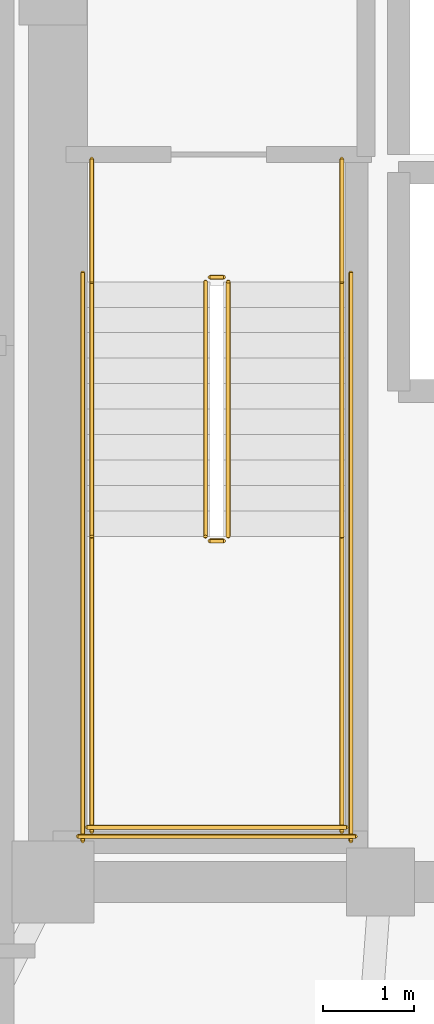
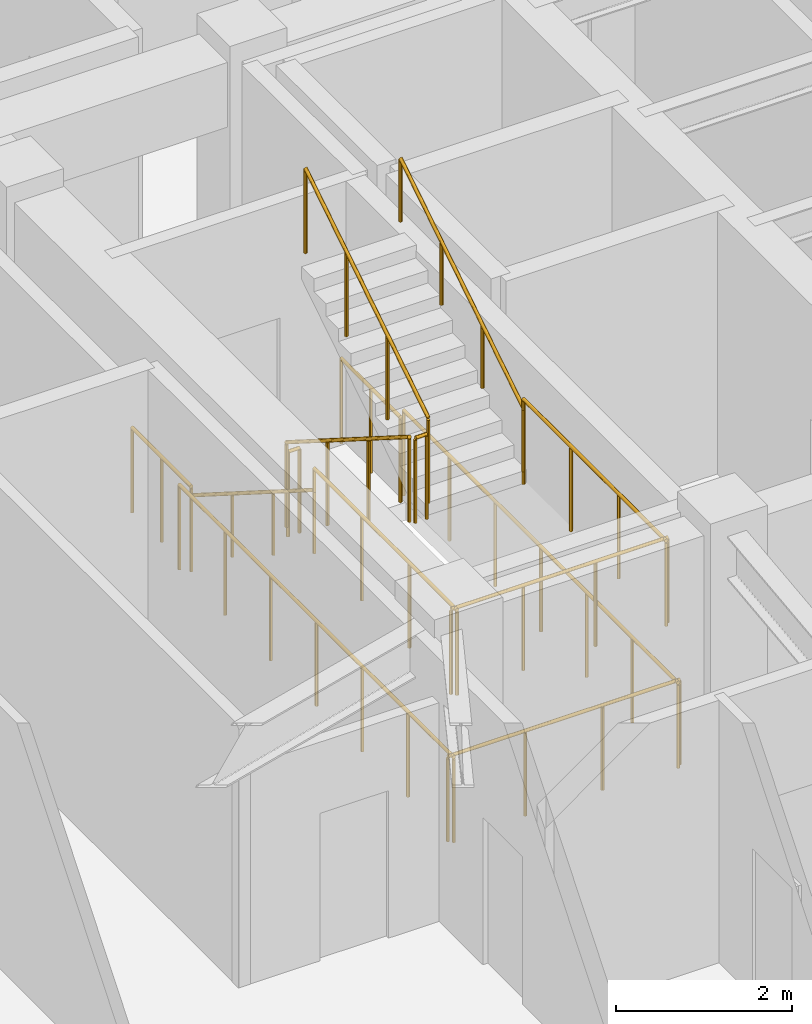
# One storey, part 10 of 11: 14 railings.
"""IFC4 building model written with IfcOpenShell, lengths in metres."""

from ifc_helpers import new_model, si_unit, direction, frame, origin, origin_2d, place, context, subcontext, project, spatial, circle, extrude, material, type_object, element, save


model = new_model("IFC4")

# Units and contexts
model_context = context("Model", 3, precision=1e-05, world=origin(), true_north=direction((0.0, 1.0)))
body_context = subcontext(model_context, "Body", "Model", "MODEL_VIEW")
ifc_project = project(units=[si_unit("LENGTHUNIT", "METRE"), si_unit("AREAUNIT", "SQUARE_METRE"), si_unit("VOLUMEUNIT", "CUBIC_METRE"), si_unit("PLANEANGLEUNIT", "RADIAN"), si_unit("MASSUNIT", "GRAM", prefix="KILO")], contexts=[model_context])

# Site, building, storey
site_placement = place(None, origin())
site = spatial("IfcSite", under=ifc_project, at=site_placement, CompositionType="ELEMENT")
building_placement = place(site_placement, origin())
building = spatial("IfcBuilding", under=site, at=building_placement, Name="Voryun Gate Residences", CompositionType="ELEMENT")
storey_placement = place(building_placement, frame((0.0, 0.0, 156.0)))
storey = spatial("IfcBuildingStorey", under=building, at=storey_placement, Name="L38", CompositionType="ELEMENT", Elevation=156.0)

# Railings
ifc_material_1 = material(Name="Painted steel", Category="steel")
railing_type_1 = type_object("IfcRailingType", Name="RAIL_STAIR_GUARD_1200", PredefinedType="GUARDRAIL", material=ifc_material_1)
railing_1_placement = place(storey_placement, frame((-17.52490234375, -0.800048828125, 0.17724609375)))
element("IfcRailing", 1, at=railing_1_placement, inside=storey, type_object=railing_type_1, Name="L38 ST-W1 stair guard 1", PredefinedType="GUARDRAIL", context=body_context, shape_type="SweptSolid", body=[
    extrude(circle(Radius=0.02392578125, at=origin_2d()), frame((0.0, 0.0, 1.17578125), z_axis=(0.0, -0.844908973607, 0.534910110503), x_axis=(1.0, 0.0, 0.0)), (0.0, 0.0, 1.0), 3.31396484375),
    extrude(circle(Radius=0.02099609375, at=origin_2d()), origin(), (0.0, 0.0, 1.0), 1.15185546875),
    extrude(circle(Radius=0.02099609375, at=origin_2d()), frame((0.0, -0.933349609375, 0.5908203125)), (0.0, 0.0, 1.0), 1.15185546875),
    extrude(circle(Radius=0.02099609375, at=origin_2d()), frame((0.0, -1.86669921875, 1.181884765625)), (0.0, 0.0, 1.0), 1.15185546875),
    extrude(circle(Radius=0.02099609375, at=origin_2d()), frame((0.0, -2.800048828125, 1.772705078125)), (0.0, 0.0, 1.0), 1.15185546875),
])
railing_2_placement = place(storey_placement, frame((-17.47509765625, -3.64990234375, 1.949951171875)))
element("IfcRailing", 2, at=railing_2_placement, inside=storey, type_object=railing_type_1, Name="L38 ST-W1 stair guard 2", PredefinedType="GUARDRAIL", context=body_context, shape_type="SweptSolid", body=[
    extrude(circle(Radius=0.02392578125, at=origin_2d()), frame((0.0, 0.0, 1.17578125), z_axis=(1.0, 0.0, 0.0), x_axis=(0.0, 1.0, 0.0)), (0.0, 0.0, 1.0), 0.150146484375),
    extrude(circle(Radius=0.02099609375, at=origin_2d()), origin(), (0.0, 0.0, 1.0), 1.15185546875),
    extrude(circle(Radius=0.02099609375, at=origin_2d()), frame((0.150146484375, 0.0, 0.0)), (0.0, 0.0, 1.0), 1.15185546875),
])
for number, where, name in (
    (3, (-18.77490234375, -3.60009765625, 1.949951171875), "L38 ST-W1 stair guard 3"),
    (4, (-16.02490234375, -3.60009765625, 1.949951171875), "L38 ST-W1 stair guard 4"),
):
    element("IfcRailing", number, at=place(storey_placement, frame(where)), inside=storey, type_object=railing_type_1, Name=name, PredefinedType="GUARDRAIL", context=body_context, shape_type="SweptSolid", body=[
        extrude(circle(Radius=0.02392578125, at=origin_2d()), frame((0.0, 0.0, 1.17578125), z_axis=(0.0, -1.0, 0.0), x_axis=(1.0, 0.0, 0.0)), (0.0, 0.0, 1.0), 3.25),
        extrude(circle(Radius=0.02099609375, at=origin_2d()), origin(), (0.0, 0.0, 1.0), 1.15185546875),
        extrude(circle(Radius=0.02099609375, at=origin_2d()), frame((0.0, -1.083251953125, 0.0)), (0.0, 0.0, 1.0), 1.15185546875),
        extrude(circle(Radius=0.02099609375, at=origin_2d()), frame((0.0, -2.166748046875, 0.0)), (0.0, 0.0, 1.0), 1.15185546875),
        extrude(circle(Radius=0.02099609375, at=origin_2d()), frame((0.0, -3.25, 0.0)), (0.0, 0.0, 1.0), 1.15185546875),
    ])
railing_3_placement = place(storey_placement, frame((-18.824951171875, -6.800048828125, 1.949951171875)))
element("IfcRailing", 5, at=railing_3_placement, inside=storey, type_object=railing_type_1, Name="L38 ST-W1 stair guard 5", PredefinedType="GUARDRAIL", context=body_context, shape_type="SweptSolid", body=[
    extrude(circle(Radius=0.02392578125, at=origin_2d()), frame((0.0, 0.0, 1.17578125), z_axis=(1.0, 0.0, 0.0), x_axis=(0.0, 1.0, 0.0)), (0.0, 0.0, 1.0), 2.849853515625),
    extrude(circle(Radius=0.02099609375, at=origin_2d()), origin(), (0.0, 0.0, 1.0), 1.15185546875),
    extrude(circle(Radius=0.02099609375, at=origin_2d()), frame((0.949951171875, 0.0, 0.0)), (0.0, 0.0, 1.0), 1.15185546875),
    extrude(circle(Radius=0.02099609375, at=origin_2d()), frame((1.89990234375, 0.0, 0.0)), (0.0, 0.0, 1.0), 1.15185546875),
    extrude(circle(Radius=0.02099609375, at=origin_2d()), frame((2.849853515625, 0.0, 0.0)), (0.0, 0.0, 1.0), 1.15185546875),
])
railing_4_placement = place(storey_placement, frame((-17.27490234375, -3.60009765625, 2.127197265625)))
element("IfcRailing", 6, at=railing_4_placement, inside=storey, type_object=railing_type_1, Name="L38 ST-W1 stair guard 6", PredefinedType="GUARDRAIL", context=body_context, shape_type="SweptSolid", body=[
    extrude(circle(Radius=0.02392578125, at=origin_2d()), frame((0.0, 0.0, 1.17578125), z_axis=(0.0, 0.844908973607, 0.534910110503), x_axis=(-1.0, 0.0, 0.0)), (0.0, 0.0, 1.0), 3.31396484375),
    extrude(circle(Radius=0.02099609375, at=origin_2d()), origin(), (0.0, 0.0, 1.0), 1.15185546875),
    extrude(circle(Radius=0.02099609375, at=origin_2d()), frame((0.0, 0.933349609375, 0.5908203125)), (0.0, 0.0, 1.0), 1.15185546875),
    extrude(circle(Radius=0.02099609375, at=origin_2d()), frame((0.0, 1.86669921875, 1.181884765625)), (0.0, 0.0, 1.0), 1.15185546875),
    extrude(circle(Radius=0.02099609375, at=origin_2d()), frame((0.0, 2.800048828125, 1.772705078125)), (0.0, 0.0, 1.0), 1.15185546875),
])
railing_5_placement = place(storey_placement, frame((-17.47509765625, -0.75, 0.0)))
element("IfcRailing", 7, at=railing_5_placement, inside=storey, type_object=railing_type_1, Name="L38 ST-W1 stair guard 7", PredefinedType="GUARDRAIL", context=body_context, shape_type="SweptSolid", body=[
    extrude(circle(Radius=0.02392578125, at=origin_2d()), frame((0.0, 0.0, 1.17578125), z_axis=(1.0, 0.0, 0.0), x_axis=(0.0, 1.0, 0.0)), (0.0, 0.0, 1.0), 0.150146484375),
    extrude(circle(Radius=0.02099609375, at=origin_2d()), origin(), (0.0, 0.0, 1.0), 1.15185546875),
    extrude(circle(Radius=0.02099609375, at=origin_2d()), frame((0.150146484375, 0.0, 0.0)), (0.0, 0.0, 1.0), 1.15185546875),
])
for number, where, name in (
    (8, (-18.77490234375, 0.550048828125, 0.0), "L38 ST-W1 stair guard 8"),
    (9, (-16.02490234375, 0.550048828125, 0.0), "L38 ST-W1 stair guard 9"),
):
    element("IfcRailing", number, at=place(storey_placement, frame(where)), inside=storey, type_object=railing_type_1, Name=name, PredefinedType="GUARDRAIL", context=body_context, shape_type="SweptSolid", body=[
        extrude(circle(Radius=0.02392578125, at=origin_2d()), frame((0.0, 0.0, 1.17578125), z_axis=(0.0, -1.0, 0.0), x_axis=(1.0, 0.0, 0.0)), (0.0, 0.0, 1.0), 1.35009765625),
        extrude(circle(Radius=0.02099609375, at=origin_2d()), origin(), (0.0, 0.0, 1.0), 1.15185546875),
        extrude(circle(Radius=0.02099609375, at=origin_2d()), frame((0.0, -0.675048828125, 0.0)), (0.0, 0.0, 1.0), 1.15185546875),
        extrude(circle(Radius=0.02099609375, at=origin_2d()), frame((0.0, -1.35009765625, 0.0)), (0.0, 0.0, 1.0), 1.15185546875),
    ])
for number, where, name in (
    (10, (-18.875, -0.699951171875, 0.0), "L38 ST-W1 stair guard 10"),
    (11, (-15.925048828125, -0.699951171875, 0.0), "L38 ST-W1 stair guard 11"),
):
    element("IfcRailing", number, at=place(storey_placement, frame(where)), inside=storey, type_object=railing_type_1, Name=name, PredefinedType="GUARDRAIL", context=body_context, shape_type="SweptSolid", body=[
        extrude(circle(Radius=0.02392578125, at=origin_2d()), frame((0.0, 0.0, 1.17578125), z_axis=(0.0, -1.0, 0.0), x_axis=(1.0, 0.0, 0.0)), (0.0, 0.0, 1.0), 6.25),
        extrude(circle(Radius=0.02099609375, at=origin_2d()), origin(), (0.0, 0.0, 1.0), 1.15185546875),
        extrude(circle(Radius=0.02099609375, at=origin_2d()), frame((0.0, -1.041748046875, 0.0)), (0.0, 0.0, 1.0), 1.15185546875),
        extrude(circle(Radius=0.02099609375, at=origin_2d()), frame((0.0, -2.083251953125, 0.0)), (0.0, 0.0, 1.0), 1.15185546875),
        extrude(circle(Radius=0.02099609375, at=origin_2d()), frame((0.0, -3.125, 0.0)), (0.0, 0.0, 1.0), 1.15185546875),
        extrude(circle(Radius=0.02099609375, at=origin_2d()), frame((0.0, -4.166748046875, 0.0)), (0.0, 0.0, 1.0), 1.15185546875),
        extrude(circle(Radius=0.02099609375, at=origin_2d()), frame((0.0, -5.208251953125, 0.0)), (0.0, 0.0, 1.0), 1.15185546875),
        extrude(circle(Radius=0.02099609375, at=origin_2d()), frame((0.0, -6.25, 0.0)), (0.0, 0.0, 1.0), 1.15185546875),
    ])
railing_6_placement = place(storey_placement, frame((-18.925048828125, -6.89990234375, 0.0)))
element("IfcRailing", 12, at=railing_6_placement, inside=storey, type_object=railing_type_1, Name="L38 ST-W1 stair guard 12", PredefinedType="GUARDRAIL", context=body_context, shape_type="SweptSolid", body=[
    extrude(circle(Radius=0.02392578125, at=origin_2d()), frame((0.0, 0.0, 1.17578125), z_axis=(1.0, 0.0, 0.0), x_axis=(0.0, 1.0, 0.0)), (0.0, 0.0, 1.0), 3.050048828125),
    extrude(circle(Radius=0.02099609375, at=origin_2d()), origin(), (0.0, 0.0, 1.0), 1.15185546875),
    extrude(circle(Radius=0.02099609375, at=origin_2d()), frame((1.0166015625, 0.0, 0.0)), (0.0, 0.0, 1.0), 1.15185546875),
    extrude(circle(Radius=0.02099609375, at=origin_2d()), frame((2.033447265625, 0.0, 0.0)), (0.0, 0.0, 1.0), 1.15185546875),
    extrude(circle(Radius=0.02099609375, at=origin_2d()), frame((3.050048828125, 0.0, 0.0)), (0.0, 0.0, 1.0), 1.15185546875),
])
ifc_material_2 = material(Name="Painted steel", Category="steel")
railing_type_2 = type_object("IfcRailingType", Name="RAIL_STAIR_HANDRAIL_900", PredefinedType="HANDRAIL", material=ifc_material_2)
railing_7_placement = place(storey_placement, frame((-18.77490234375, -0.800048828125, 0.17724609375)))
element("IfcRailing", 13, at=railing_7_placement, inside=storey, type_object=railing_type_2, Name="L38 ST-W1 stair handrail 1", PredefinedType="HANDRAIL", context=body_context, shape_type="SweptSolid", body=[
    extrude(circle(Radius=0.02392578125, at=origin_2d()), frame((0.0, 0.0, 0.8759765625), z_axis=(0.0, -0.844908973607, 0.534910110503), x_axis=(1.0, 0.0, 0.0)), (0.0, 0.0, 1.0), 3.31396484375),
    extrude(circle(Radius=0.02099609375, at=origin_2d()), origin(), (0.0, 0.0, 1.0), 0.851806640625),
    extrude(circle(Radius=0.02099609375, at=origin_2d()), frame((0.0, -0.933349609375, 0.5908203125)), (0.0, 0.0, 1.0), 0.851806640625),
    extrude(circle(Radius=0.02099609375, at=origin_2d()), frame((0.0, -1.86669921875, 1.181884765625)), (0.0, 0.0, 1.0), 0.851806640625),
    extrude(circle(Radius=0.02099609375, at=origin_2d()), frame((0.0, -2.800048828125, 1.772705078125)), (0.0, 0.0, 1.0), 0.851806640625),
])
railing_8_placement = place(storey_placement, frame((-16.02490234375, -3.60009765625, 2.127197265625)))
element("IfcRailing", 14, at=railing_8_placement, inside=storey, type_object=railing_type_2, Name="L38 ST-W1 stair handrail 2", PredefinedType="HANDRAIL", context=body_context, shape_type="SweptSolid", body=[
    extrude(circle(Radius=0.02392578125, at=origin_2d()), frame((0.0, 0.0, 0.8759765625), z_axis=(0.0, 0.844908973607, 0.534910110503), x_axis=(-1.0, 0.0, 0.0)), (0.0, 0.0, 1.0), 3.31396484375),
    extrude(circle(Radius=0.02099609375, at=origin_2d()), origin(), (0.0, 0.0, 1.0), 0.851806640625),
    extrude(circle(Radius=0.02099609375, at=origin_2d()), frame((0.0, 0.933349609375, 0.5908203125)), (0.0, 0.0, 1.0), 0.851806640625),
    extrude(circle(Radius=0.02099609375, at=origin_2d()), frame((0.0, 1.86669921875, 1.181884765625)), (0.0, 0.0, 1.0), 0.851806640625),
    extrude(circle(Radius=0.02099609375, at=origin_2d()), frame((0.0, 2.800048828125, 1.772705078125)), (0.0, 0.0, 1.0), 0.851806640625),
])

save(model, "model.ifc")
